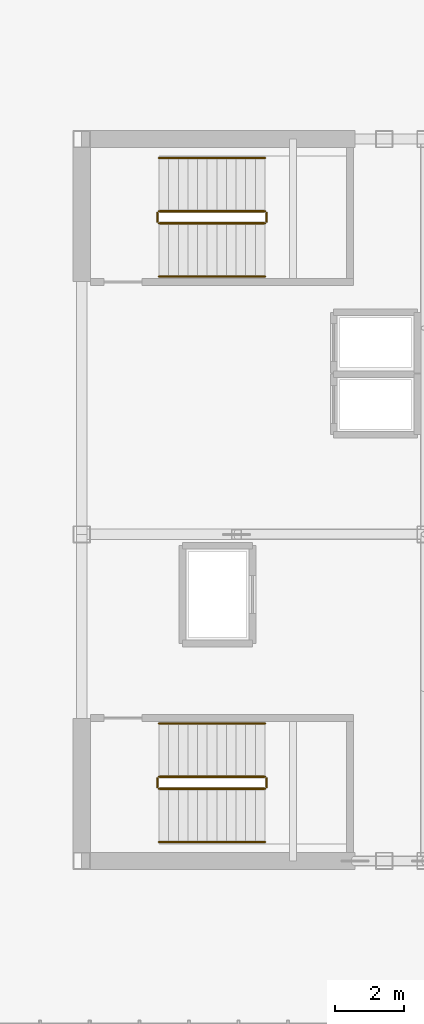
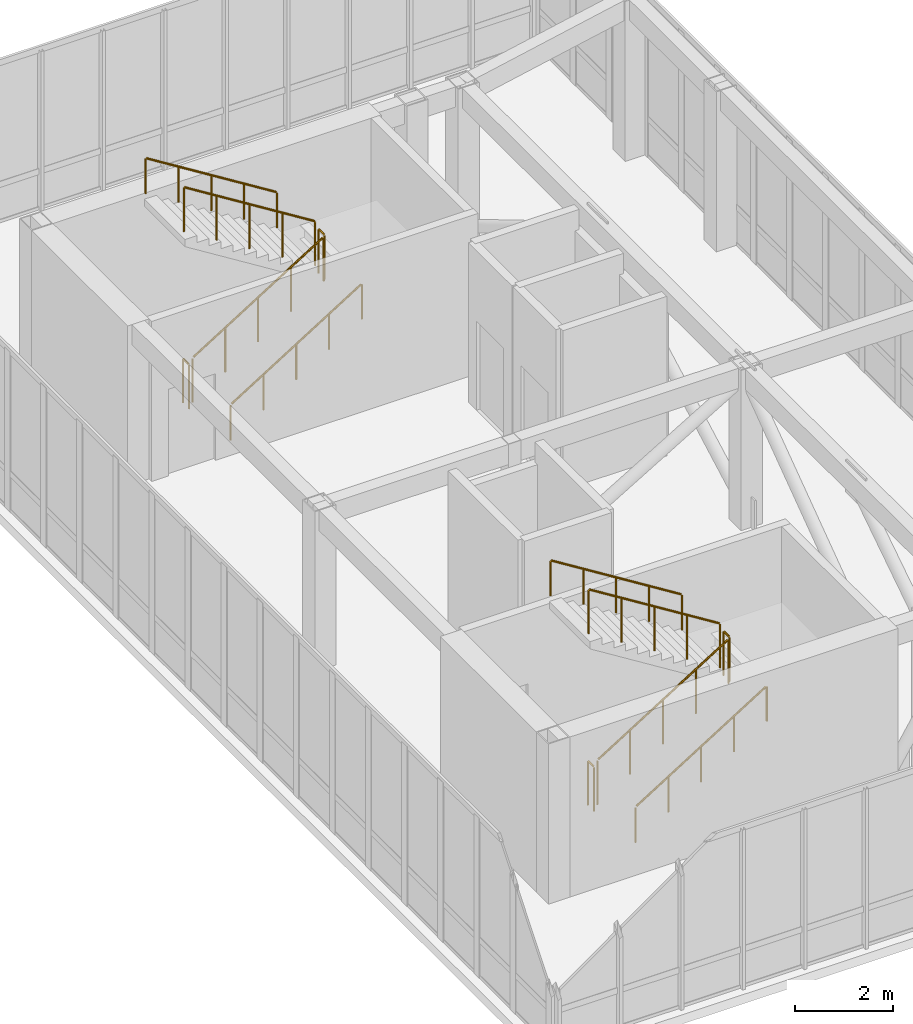
# One storey, part 13 of 13: 12 railings.
"""IFC4 building model written with IfcOpenShell, lengths in metres."""

import ifcopenshell
import ifcopenshell.guid

model = None  # the IFC model being written
_history = None  # IfcOwnerHistory: only IFC2X3 demands one
_inside = {}  # id of a spatial element -> (the spatial element, [elements in it])
_under = {}  # id of a project, library or spatial element -> (it, [spatial elements below it])
_declared = {}  # id of a project -> (the project, [libraries it declares])
_typed = {}  # id of a type object -> (the type object, [elements of that type])
_made_of = {}  # id of a material, layer set ... -> (it, [elements and type objects made of it])


def new_model(schema):
    """Start an empty IFC model of exactly this schema.

    Asked for "IFC4X3", IfcOpenShell would pick the latest addendum, in which some entities
    have other attributes; the version numbers below select the first issue.
    IFC2X3 requires an IfcOwnerHistory on every rooted entity: one is made here for all.
    """
    global model, _history
    if schema == "IFC4X3":
        model = ifcopenshell.file(schema_version=(4, 3, 0, 0))
    else:
        model = ifcopenshell.file(schema=schema)
    _inside.clear()
    _under.clear()
    _declared.clear()
    _typed.clear()
    _made_of.clear()
    _history = None
    if model.schema == "IFC2X3":
        org = make("IfcOrganization", Name="unknown")
        user = make(
            "IfcPersonAndOrganization",
            ThePerson=make("IfcPerson", FamilyName="unknown"),
            TheOrganization=org,
        )
        app = make(
            "IfcApplication",
            ApplicationDeveloper=org,
            Version="unknown",
            ApplicationFullName="unknown",
            ApplicationIdentifier="unknown",
        )
        _history = make(
            "IfcOwnerHistory",
            OwningUser=user,
            OwningApplication=app,
            ChangeAction="ADDED",
            CreationDate=0,
        )
    return model


def make(cls, **values):
    """One entity of the class cls with the attributes given. An attribute that is None is left unset."""
    return model.create_entity(
        cls, **{name: value for name, value in values.items() if value is not None}
    )


def rooted(cls, **values):
    """An entity with a GlobalId (a new one), such as an element, a storey or a relation."""
    return make(cls, GlobalId=ifcopenshell.guid.new(), OwnerHistory=_history, **values)


def si_unit(unit_type, name, prefix=None):
    """IfcSIUnit, for example si_unit("LENGTHUNIT", "METRE", prefix="MILLI")."""
    return make("IfcSIUnit", UnitType=unit_type, Prefix=prefix, Name=name)


def assignment(units):
    """IfcUnitAssignment: the units of a project."""
    return None if units is None else make("IfcUnitAssignment", Units=units)


def point(xyz):
    """IfcCartesianPoint."""
    return None if xyz is None else make("IfcCartesianPoint", Coordinates=xyz)


def direction(xyz):
    """IfcDirection."""
    return None if xyz is None else make("IfcDirection", DirectionRatios=xyz)


def frame(location, z_axis=None, x_axis=None):
    """IfcAxis2Placement3D, a coordinate frame: its origin and axes. An axis left out is left unset."""
    return make(
        "IfcAxis2Placement3D",
        Location=point(location),
        Axis=direction(z_axis),
        RefDirection=direction(x_axis),
    )


def frame_2d(location, x_axis=None):
    """IfcAxis2Placement2D, a coordinate frame in the plane: its origin and x axis."""
    return make(
        "IfcAxis2Placement2D", Location=point(location), RefDirection=direction(x_axis)
    )


def origin():
    """The frame at (0, 0, 0) with its axes left unset."""
    return frame((0.0, 0.0, 0.0))


def origin_2d():
    """The frame at (0, 0) in the plane with its x axis left unset."""
    return frame_2d((0.0, 0.0))


def place(relative_to, where):
    """IfcLocalPlacement: puts the frame where relative to a parent placement (None: the world)."""
    return make(
        "IfcLocalPlacement", PlacementRelTo=relative_to, RelativePlacement=where
    )


def context(
    kind, dimensions, precision=None, world=None, true_north=None, identifier=None
):
    """IfcGeometricRepresentationContext, for example the 3D "Model" context."""
    return make(
        "IfcGeometricRepresentationContext",
        ContextIdentifier=identifier,
        ContextType=kind,
        CoordinateSpaceDimension=dimensions,
        Precision=precision,
        WorldCoordinateSystem=world,
        TrueNorth=true_north,
    )


def subcontext(parent, identifier, kind, view, scale=None):
    """IfcGeometricRepresentationSubContext, for example "Body" below "Model"."""
    return make(
        "IfcGeometricRepresentationSubContext",
        ContextIdentifier=identifier,
        ContextType=kind,
        ParentContext=parent,
        TargetScale=scale,
        TargetView=view,
    )


def project(units=None, contexts=None):
    """IfcProject with its units and contexts."""
    return rooted(
        "IfcProject",
        Name="project",
        RepresentationContexts=contexts,
        UnitsInContext=assignment(units),
    )


def spatial(cls, under=None, at=None, **own):
    """A site, building, storey or space (cls), placed at a placement, below another one or the project."""
    s = rooted(cls, ObjectPlacement=at, **own)
    if under is not None:
        _under.setdefault(under.id(), (under, []))[1].append(s)
    return s


def profile(cls, at=None, kind="AREA", **sizes):
    """A parametric profile (cls). Its sizes go by their IFC names, for example OverallWidth=200.0."""
    return make(cls, ProfileType=kind, Position=at, **sizes)


def circle(**sizes):
    """IfcCircleProfileDef."""
    return profile("IfcCircleProfileDef", **sizes)


def extrude(swept, where, along, depth):
    """IfcExtrudedAreaSolid: the profile swept, set in the frame where, extruded along a direction by depth."""
    return make(
        "IfcExtrudedAreaSolid",
        SweptArea=swept,
        Position=where,
        ExtrudedDirection=direction(along),
        Depth=depth,
    )


def shape(context_of_items, identifier, shape_type, items):
    """IfcShapeRepresentation: the items that make up one representation, for example the "Body"."""
    return make(
        "IfcShapeRepresentation",
        ContextOfItems=context_of_items,
        RepresentationIdentifier=identifier,
        RepresentationType=shape_type,
        Items=items,
    )


def source(mapping_origin, context_of_items, identifier, shape_type, items):
    """IfcRepresentationMap: a shape defined once, which mapped items show again and again."""
    return make(
        "IfcRepresentationMap",
        MappingOrigin=mapping_origin,
        MappedRepresentation=shape(context_of_items, identifier, shape_type, items),
    )


def transform(
    local_origin,
    x_axis=None,
    y_axis=None,
    z_axis=None,
    scale=None,
    scale2=None,
    scale3=None,
    uniform=True,
):
    """IfcCartesianTransformationOperator3D, or its non-uniform kind. x_axis, y_axis, z_axis: its Axis1, 2, 3."""
    if uniform:
        return make(
            "IfcCartesianTransformationOperator3D",
            Axis1=direction(x_axis),
            Axis2=direction(y_axis),
            LocalOrigin=point(local_origin),
            Scale=scale,
            Axis3=direction(z_axis),
        )
    return make(
        "IfcCartesianTransformationOperator3DnonUniform",
        Axis1=direction(x_axis),
        Axis2=direction(y_axis),
        LocalOrigin=point(local_origin),
        Scale=scale,
        Axis3=direction(z_axis),
        Scale2=scale2,
        Scale3=scale3,
    )


def mapped(mapping_source, mapping_target):
    """IfcMappedItem: shows the shape of a source again, moved by a transform."""
    return make(
        "IfcMappedItem", MappingSource=mapping_source, MappingTarget=mapping_target
    )


def material(Name=None, Category=None):
    """IfcMaterial."""
    return make("IfcMaterial", Name=Name, Category=Category)


def layer(
    of_material, thickness, ventilated=None, Name=None, Category=None, Priority=None
):
    """IfcMaterialLayer: one layer of a wall or slab, of a material (None: an air gap)."""
    return make(
        "IfcMaterialLayer",
        Material=of_material,
        LayerThickness=thickness,
        IsVentilated=ventilated,
        Name=Name,
        Category=Category,
        Priority=Priority,
    )


def layer_set(layers, Name=None):
    """IfcMaterialLayerSet."""
    return make("IfcMaterialLayerSet", MaterialLayers=layers, LayerSetName=Name)


def made_of(thing, what):
    """Note that an element or type object is made of a material, layer set ...; save() writes the relation."""
    if what is not None:
        _made_of.setdefault(what.id(), (what, []))[1].append(thing)
    return thing


def type_object(cls, material=None, **own):
    """A type object (cls), such as IfcWallType, which elements share."""
    return made_of(rooted(cls, **own), material)


def element(
    cls,
    number,
    at=None,
    inside=None,
    cuts=None,
    type_object=None,
    material=None,
    context=None,
    identifier="Body",
    shape_type=None,
    held_by="IfcProductDefinitionShape",
    body=None,
    shapes=None,
    **own,
):
    """One element of the class cls, such as IfcWall. Its Tag is "e" and its number.

    at: its placement. inside: the storey or other place that contains it. cuts: it is an
    opening in that element (IfcRelVoidsElement). A single representation is given by context,
    identifier, shape_type and body (its items); several are given by shapes. held_by: the class
    of the entity that holds the representations. save() writes the other relations.
    """
    e = rooted(cls, Tag="e%d" % number, ObjectPlacement=at, **own)
    if body is not None:
        shapes = [shape(context, identifier, shape_type, body)]
    if shapes is not None:
        e.Representation = make(held_by, Representations=shapes)
    if inside is not None:
        _inside.setdefault(inside.id(), (inside, []))[1].append(e)
    if cuts is not None:
        rooted(
            "IfcRelVoidsElement", RelatingBuildingElement=cuts, RelatedOpeningElement=e
        )
    if type_object is not None:
        _typed.setdefault(type_object.id(), (type_object, []))[1].append(e)
    return made_of(e, material)


def aggregate(whole, parts):
    """IfcRelAggregates: a whole, such as a stair, and the parts it consists of."""
    return rooted("IfcRelAggregates", RelatingObject=whole, RelatedObjects=parts)


def save(model, path):
    """Write the relations noted so far, then the file.

    IfcRelAggregates (storeys below a building ...), IfcRelContainedInSpatialStructure (elements
    in a storey), IfcRelDefinesByType, IfcRelAssociatesMaterial and IfcRelDeclares: one each for
    every whole, place, type object, material and project.
    """
    for whole, parts in _under.values():
        aggregate(whole, parts)
    for where, things in _inside.values():
        rooted(
            "IfcRelContainedInSpatialStructure",
            RelatedElements=things,
            RelatingStructure=where,
        )
    for kind, things in _typed.values():
        rooted("IfcRelDefinesByType", RelatedObjects=things, RelatingType=kind)
    for what, things in _made_of.values():
        rooted("IfcRelAssociatesMaterial", RelatedObjects=things, RelatingMaterial=what)
    for by, libraries in _declared.values():
        rooted("IfcRelDeclares", RelatingContext=by, RelatedDefinitions=libraries)
    model.write(path)


model = new_model("IFC4")

# Units and contexts
model_context = context("Model", 3, precision=1e-05, world=origin(), true_north=direction((0.0, 1.0)))
body_context = subcontext(model_context, "Body", "Model", "MODEL_VIEW")
ifc_project = project(units=[si_unit("LENGTHUNIT", "METRE"), si_unit("AREAUNIT", "SQUARE_METRE"), si_unit("VOLUMEUNIT", "CUBIC_METRE"), si_unit("PLANEANGLEUNIT", "RADIAN"), si_unit("MASSUNIT", "GRAM", prefix="KILO")], contexts=[model_context])

# Site, building, storey
site_placement = place(None, origin())
site = spatial("IfcSite", under=ifc_project, at=site_placement, CompositionType="ELEMENT")
building_placement = place(site_placement, origin())
building = spatial("IfcBuilding", under=site, at=building_placement, Name="Kharzan Plaza Tower", CompositionType="ELEMENT")
storey_placement = place(building_placement, frame((0.0, 0.0, 281.39990234375)))
storey = spatial("IfcBuildingStorey", under=building, at=storey_placement, Name="L76-CROWN", CompositionType="ELEMENT", Elevation=281.39990234375)

# Railings
ifc_material_1 = material(Name="Painted Galvanized Architectural Steel", Category="steel")
ifc_layer_1 = layer(ifc_material_1, 0.074951171875)
ifc_layer_set_1 = layer_set([ifc_layer_1], Name="Painted Galvanized Architectural Steel")
railing_type_1 = type_object("IfcRailingType", Name="RL-GUARD-1120", PredefinedType="BALUSTRADE", material=ifc_layer_set_1)
shared_shape_1 = source(origin(), body_context, "Body", "SweptSolid", [
    extrude(circle(Radius=0.02392578125, at=origin_2d()), frame((0.0, 0.0263671875, 1.09619140625), z_axis=(0.0, 1.0, 0.0), x_axis=(-1.0, 0.0, 0.0)), (0.0, 0.0, 1.0), 0.197021484375),
    extrude(circle(Radius=0.02099609375, at=origin_2d()), origin(), (0.0, 0.0, 1.0), 1.072021484375),
    extrude(circle(Radius=0.02099609375, at=origin_2d()), frame((0.0, 0.25, 0.0)), (0.0, 0.0, 1.0), 1.072021484375),
])
for number, where, name in (
    (1, (9.8798828125, 10.64990234375, 2.10009765625), "L76-CROWN ST-1 stair guard 2"),
    (2, (6.699951171875, 10.64990234375, 0.0), "L76-CROWN ST-1 stair guard 4"),
    (3, (9.8798828125, 27.10009765625, 2.10009765625), "L76-CROWN ST-2 stair guard 2"),
    (4, (6.699951171875, 27.10009765625, 0.0), "L76-CROWN ST-2 stair guard 4"),
):
    element("IfcRailing", number, at=place(storey_placement, frame(where)), inside=storey, type_object=railing_type_1, Name=name, PredefinedType="BALUSTRADE", context=body_context, shape_type="MappedRepresentation", body=[
        mapped(shared_shape_1, transform((0.0, 0.0, 0.0), x_axis=(1.0, 0.0, 0.0), y_axis=(0.0, 1.0, 0.0), z_axis=(0.0, 0.0, 1.0))),
    ])
shared_shape_2 = source(origin(), body_context, "Body", "SweptSolid", [
    extrude(circle(Radius=0.02392578125, at=origin_2d()), frame((0.0224609375, 0.0, 1.110107421875), z_axis=(0.847998304005, 0.0, 0.529998940003), x_axis=(0.0, 1.0, 0.0)), (0.0, 0.0, 1.0), 3.579345703125),
    extrude(circle(Radius=0.02099609375, at=origin_2d()), origin(), (0.0, 0.0, 1.0), 1.072021484375),
    extrude(circle(Radius=0.02099609375, at=origin_2d()), frame((0.77001953125, 0.0, 0.481201171875)), (0.0, 0.0, 1.0), 1.072021484375),
    extrude(circle(Radius=0.02099609375, at=origin_2d()), frame((1.5400390625, 0.0, 0.96240234375)), (0.0, 0.0, 1.0), 1.072021484375),
    extrude(circle(Radius=0.02099609375, at=origin_2d()), frame((2.31005859375, 0.0, 1.44384765625)), (0.0, 0.0, 1.0), 1.072021484375),
    extrude(circle(Radius=0.02099609375, at=origin_2d()), frame((3.080078125, 0.0, 1.925048828125)), (0.0, 0.0, 1.0), 1.072021484375),
])
for number, where, name in (
    (5, (6.75, 10.60009765625, 0.175048828125), "L76-CROWN ST-1 stair guard 1"),
    (6, (6.75, 27.050048828125, 0.175048828125), "L76-CROWN ST-2 stair guard 1"),
):
    element("IfcRailing", number, at=place(storey_placement, frame(where)), inside=storey, type_object=railing_type_1, Name=name, PredefinedType="BALUSTRADE", context=body_context, shape_type="MappedRepresentation", body=[
        mapped(shared_shape_2, transform((0.0, 0.0, 0.0), x_axis=(1.0, 0.0, 0.0), y_axis=(0.0, 1.0, 0.0), z_axis=(0.0, 0.0, 1.0))),
    ])
ifc_material_2 = material(Name="Brushed Stainless Steel", Category="steel")
ifc_layer_2 = layer(ifc_material_2, 0.050048828125)
ifc_layer_set_2 = layer_set([ifc_layer_2], Name="Brushed Stainless Steel")
railing_type_2 = type_object("IfcRailingType", Name="RL-STAIR-HR920", PredefinedType="HANDRAIL", material=ifc_layer_set_2)
shared_shape_3 = source(origin(), body_context, "Body", "SweptSolid", [
    extrude(circle(Radius=0.02392578125, at=origin_2d()), frame((0.0224609375, 0.0, 0.889892578125), z_axis=(0.847998304005, 0.0, 0.529998940003), x_axis=(0.0, 1.0, 0.0)), (0.0, 0.0, 1.0), 3.579345703125),
    extrude(circle(Radius=0.02099609375, at=origin_2d()), origin(), (0.0, 0.0, 1.0), 0.851806640625),
    extrude(circle(Radius=0.02099609375, at=origin_2d()), frame((0.77001953125, 0.0, 0.481201171875)), (0.0, 0.0, 1.0), 0.851806640625),
    extrude(circle(Radius=0.02099609375, at=origin_2d()), frame((1.5400390625, 0.0, 0.96240234375)), (0.0, 0.0, 1.0), 0.851806640625),
    extrude(circle(Radius=0.02099609375, at=origin_2d()), frame((2.31005859375, 0.0, 1.44384765625)), (0.0, 0.0, 1.0), 0.851806640625),
    extrude(circle(Radius=0.02099609375, at=origin_2d()), frame((3.080078125, 0.0, 1.925048828125)), (0.0, 0.0, 1.0), 0.851806640625),
])
for number, where, name in (
    (7, (6.75, 9.050048828125, 0.175048828125), "L76-CROWN ST-1 stair handrail 1"),
    (8, (6.75, 25.5, 0.175048828125), "L76-CROWN ST-2 stair handrail 1"),
):
    element("IfcRailing", number, at=place(storey_placement, frame(where)), inside=storey, type_object=railing_type_2, Name=name, PredefinedType="HANDRAIL", context=body_context, shape_type="MappedRepresentation", body=[
        mapped(shared_shape_3, transform((0.0, 0.0, 0.0), x_axis=(1.0, 0.0, 0.0), y_axis=(0.0, 1.0, 0.0), z_axis=(0.0, 0.0, 1.0))),
    ])
shared_shape_4 = source(origin(), body_context, "Body", "SweptSolid", [
    extrude(circle(Radius=0.02392578125, at=origin_2d()), frame((-0.0224609375, 0.0, 1.110107421875), z_axis=(-0.847998304005, 0.0, 0.529998940003), x_axis=(0.0, -1.0, 0.0)), (0.0, 0.0, 1.0), 3.579345703125),
    extrude(circle(Radius=0.02099609375, at=origin_2d()), origin(), (0.0, 0.0, 1.0), 1.072021484375),
    extrude(circle(Radius=0.02099609375, at=origin_2d()), frame((-0.77001953125, 0.0, 0.481201171875)), (0.0, 0.0, 1.0), 1.072021484375),
    extrude(circle(Radius=0.02099609375, at=origin_2d()), frame((-1.5400390625, 0.0, 0.96240234375)), (0.0, 0.0, 1.0), 1.072021484375),
    extrude(circle(Radius=0.02099609375, at=origin_2d()), frame((-2.31005859375, 0.0, 1.44384765625)), (0.0, 0.0, 1.0), 1.072021484375),
    extrude(circle(Radius=0.02099609375, at=origin_2d()), frame((-3.080078125, 0.0, 1.925048828125)), (0.0, 0.0, 1.0), 1.072021484375),
])
for number, where, name in (
    (9, (9.830078125, 10.949951171875, 2.275146484375), "L76-CROWN ST-1 stair guard 3"),
    (10, (9.830078125, 27.39990234375, 2.275146484375), "L76-CROWN ST-2 stair guard 3"),
):
    element("IfcRailing", number, at=place(storey_placement, frame(where)), inside=storey, type_object=railing_type_1, Name=name, PredefinedType="BALUSTRADE", context=body_context, shape_type="MappedRepresentation", body=[
        mapped(shared_shape_4, transform((0.0, 0.0, 0.0), x_axis=(1.0, 0.0, 0.0), y_axis=(0.0, 1.0, 0.0), z_axis=(0.0, 0.0, 1.0))),
    ])
shared_shape_5 = source(origin(), body_context, "Body", "SweptSolid", [
    extrude(circle(Radius=0.02392578125, at=origin_2d()), frame((-0.0224609375, 0.0, 0.889892578125), z_axis=(-0.847998304005, 0.0, 0.529998940003), x_axis=(0.0, -1.0, 0.0)), (0.0, 0.0, 1.0), 3.579345703125),
    extrude(circle(Radius=0.02099609375, at=origin_2d()), origin(), (0.0, 0.0, 1.0), 0.851806640625),
    extrude(circle(Radius=0.02099609375, at=origin_2d()), frame((-0.77001953125, 0.0, 0.481201171875)), (0.0, 0.0, 1.0), 0.851806640625),
    extrude(circle(Radius=0.02099609375, at=origin_2d()), frame((-1.5400390625, 0.0, 0.96240234375)), (0.0, 0.0, 1.0), 0.851806640625),
    extrude(circle(Radius=0.02099609375, at=origin_2d()), frame((-2.31005859375, 0.0, 1.44384765625)), (0.0, 0.0, 1.0), 0.851806640625),
    extrude(circle(Radius=0.02099609375, at=origin_2d()), frame((-3.080078125, 0.0, 1.925048828125)), (0.0, 0.0, 1.0), 0.851806640625),
])
for number, where, name in (
    (11, (9.830078125, 12.5, 2.275146484375), "L76-CROWN ST-1 stair handrail 2"),
    (12, (9.830078125, 28.949951171875, 2.275146484375), "L76-CROWN ST-2 stair handrail 2"),
):
    element("IfcRailing", number, at=place(storey_placement, frame(where)), inside=storey, type_object=railing_type_2, Name=name, PredefinedType="HANDRAIL", context=body_context, shape_type="MappedRepresentation", body=[
        mapped(shared_shape_5, transform((0.0, 0.0, 0.0), x_axis=(1.0, 0.0, 0.0), y_axis=(0.0, 1.0, 0.0), z_axis=(0.0, 0.0, 1.0))),
    ])

save(model, "model.ifc")
